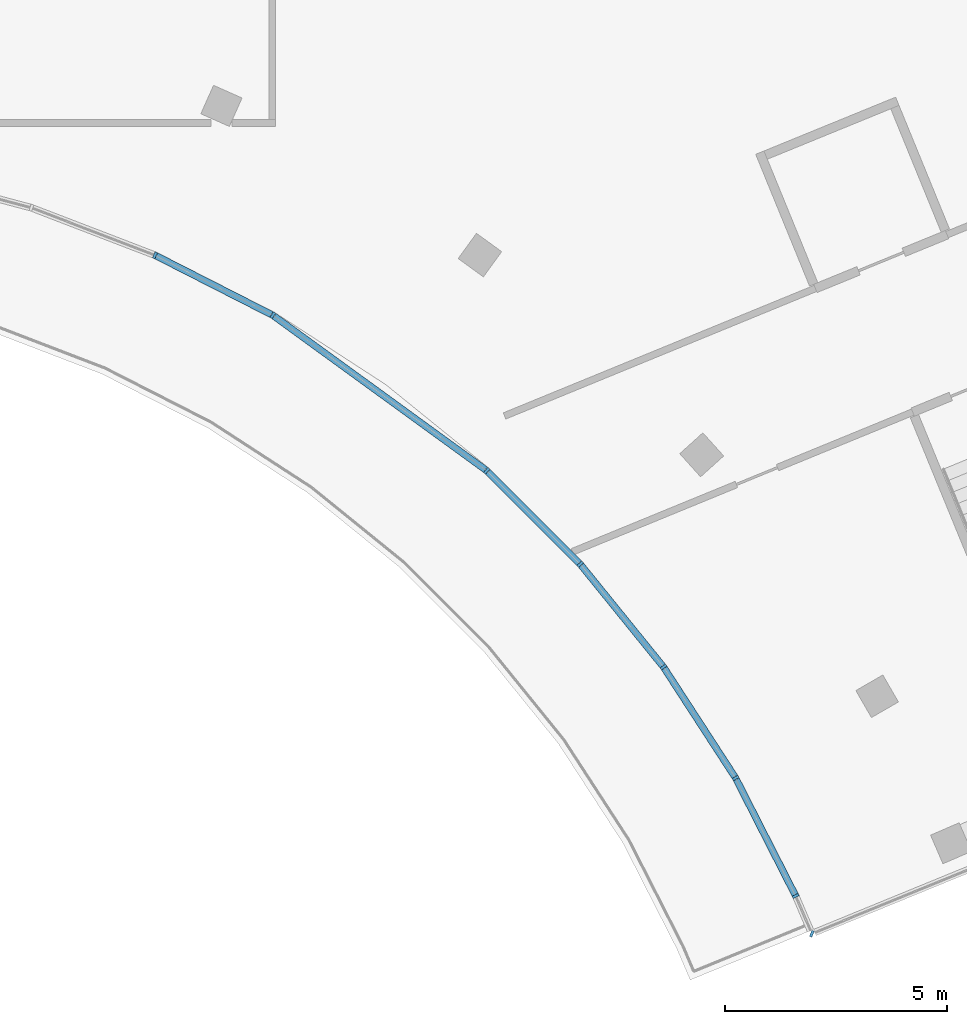
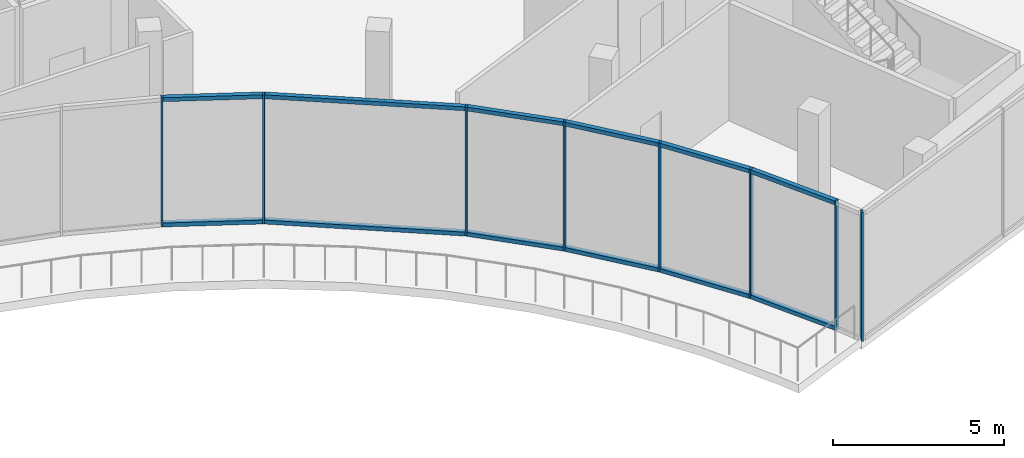
# One storey, part 8 of 39: 20 members, 2 elements without a shape of their own.
"""IFC4 building model written with IfcOpenShell, lengths in metres."""

from ifc_helpers import new_model, si_unit, direction, frame, origin, origin_2d, place, context, subcontext, project, spatial, rectangle, extrude, material, layer, layer_set, material_profile, profile_set, type_object, element, aggregate, save


model = new_model("IFC4")

# Units and contexts
model_context = context("Model", 3, precision=1e-05, world=origin(), true_north=direction((0.0, 1.0)))
body_context = subcontext(model_context, "Body", "Model", "MODEL_VIEW")
ifc_project = project(units=[si_unit("LENGTHUNIT", "METRE"), si_unit("AREAUNIT", "SQUARE_METRE"), si_unit("VOLUMEUNIT", "CUBIC_METRE"), si_unit("PLANEANGLEUNIT", "RADIAN"), si_unit("MASSUNIT", "GRAM", prefix="KILO")], contexts=[model_context])

# Site, building, storey
site_placement = place(None, origin())
site = spatial("IfcSite", under=ifc_project, at=site_placement, CompositionType="ELEMENT")
building_placement = place(site_placement, origin())
building = spatial("IfcBuilding", under=site, at=building_placement, Name="Stone Belt Terrace Tower", CompositionType="ELEMENT")
storey_placement = place(building_placement, frame((0.0, 0.0, 20.800048828125)))
storey = spatial("IfcBuildingStorey", under=building, at=storey_placement, Name="L04", CompositionType="ELEMENT", Elevation=20.800048828125)

# Curtain wall, members
ifc_material = material(Name="Aluminium 6063-T6 anodised frame", Category="aluminium")
ifc_layer = layer(ifc_material, 0.14990234375)
ifc_layer_set = layer_set([ifc_layer], Name="CW-D podium shopfront")
curtain_wall_type = type_object("IfcCurtainWallType", Name="CW-D podium shopfront", PredefinedType="NOTDEFINED", material=ifc_layer_set)
curtain_wall_1_placement = place(storey_placement, origin())
curtain_wall_1 = element("IfcCurtainWall", 1, at=curtain_wall_1_placement, inside=storey, type_object=curtain_wall_type, Name="CW-D concave face L04", PredefinedType="NOTDEFINED")
ifc_material_profile_1 = material_profile(ifc_material, rectangle(XDim=0.14990234375, YDim=0.06005859375, at=origin_2d()), Name="Aluminium 6063-T6 60x150")
ifc_profile_set_1 = profile_set([ifc_material_profile_1], Name="Aluminium 6063-T6 anodised frame")
member_type_1 = type_object("IfcMemberType", Name="CW-D mullion 60 x 150", PredefinedType="MULLION", material=ifc_profile_set_1)
member_1_placement = place(storey_placement, frame((11.5615234375, 25.967529296875, 0.0), z_axis=(0.0, 0.0, 1.0), x_axis=(0.406736643076, 0.913545457643, 0.0)))
member_1 = element("IfcMember", 2, at=member_1_placement, type_object=member_type_1, Name="CW-D mullion 15", PredefinedType="MULLION", context=body_context, shape_type="SweptSolid", body=[
    extrude(rectangle(XDim=0.14990234375, YDim=0.06005859375, at=origin_2d()), origin(), (0.0, 0.0, 1.0), 4.599853515625),
])
member_2_placement = place(storey_placement, frame((14.210693359375, 24.61767578125, 0.0), z_axis=(0.0, 0.0, 1.0), x_axis=(0.522498564716, 0.852640164354, 0.0)))
member_2 = element("IfcMember", 3, at=member_2_placement, type_object=member_type_1, Name="CW-D mullion 16", PredefinedType="MULLION", context=body_context, shape_type="SweptSolid", body=[
    extrude(rectangle(XDim=0.14990234375, YDim=0.06005859375, at=origin_2d()), origin(), (0.0, 0.0, 1.0), 4.599853515625),
])
member_3_placement = place(storey_placement, frame((19.021484375, 21.122314453125, 0.0), z_axis=(0.0, 0.0, 1.0), x_axis=(0.64944804833, 0.7604059656, 0.0)))
member_3 = element("IfcMember", 4, at=member_3_placement, type_object=member_type_1, Name="CW-D mullion 17", PredefinedType="MULLION", context=body_context, shape_type="SweptSolid", body=[
    extrude(rectangle(XDim=0.14990234375, YDim=0.06005859375, at=origin_2d()), origin(), (0.0, 0.0, 1.0), 4.599853515625),
])
member_4_placement = place(storey_placement, frame((21.123779296875, 19.02001953125, 0.0), z_axis=(0.0, 0.0, 1.0), x_axis=(0.743144825477, 0.669130606359, 0.0)))
member_4 = element("IfcMember", 5, at=member_4_placement, type_object=member_type_1, Name="CW-D mullion 18", PredefinedType="MULLION", context=body_context, shape_type="SweptSolid", body=[
    extrude(rectangle(XDim=0.14990234375, YDim=0.06005859375, at=origin_2d()), origin(), (0.0, 0.0, 1.0), 4.599853515625),
])
member_5_placement = place(storey_placement, frame((22.996337890625, 16.707763671875, 0.0), z_axis=(0.0, 0.0, 1.0), x_axis=(0.809016994375, 0.587785252292, 0.0)))
member_5 = element("IfcMember", 6, at=member_5_placement, type_object=member_type_1, Name="CW-D mullion 19", PredefinedType="MULLION", context=body_context, shape_type="SweptSolid", body=[
    extrude(rectangle(XDim=0.14990234375, YDim=0.06005859375, at=origin_2d()), origin(), (0.0, 0.0, 1.0), 4.599853515625),
])
member_6_placement = place(storey_placement, frame((24.61669921875, 14.21240234375, 0.0), z_axis=(0.0, 0.0, 1.0), x_axis=(0.866025403784, 0.5, 0.0)))
member_6 = element("IfcMember", 7, at=member_6_placement, type_object=member_type_1, Name="CW-D mullion 20", PredefinedType="MULLION", context=body_context, shape_type="SweptSolid", body=[
    extrude(rectangle(XDim=0.14990234375, YDim=0.06005859375, at=origin_2d()), origin(), (0.0, 0.0, 1.0), 4.599853515625),
])
member_7_placement = place(storey_placement, frame((25.968017578125, 11.560302734375, 0.0), z_axis=(0.0, 0.0, 1.0), x_axis=(0.905778201442, 0.423752108895, 0.0)))
member_7 = element("IfcMember", 8, at=member_7_placement, type_object=member_type_1, Name="CW-D mullion 21", PredefinedType="MULLION", context=body_context, shape_type="SweptSolid", body=[
    extrude(rectangle(XDim=0.14990234375, YDim=0.06005859375, at=origin_2d()), origin(), (0.0, 0.0, 1.0), 4.599853515625),
])

# Curtain wall, member
curtain_wall_2_placement = place(storey_placement, origin())
curtain_wall_2 = element("IfcCurtainWall", 9, at=curtain_wall_2_placement, inside=storey, type_object=curtain_wall_type, Name="CW-D end face L04", PredefinedType="NOTDEFINED")
member_8_placement = place(storey_placement, frame((26.3310546875, 10.7109375, 0.0), z_axis=(0.0, 0.0, 1.0), x_axis=(0.379212239192, 0.925309719849, 0.0)))
member_8 = element("IfcMember", 10, at=member_8_placement, type_object=member_type_1, Name="CW-D mullion 1", PredefinedType="MULLION", context=body_context, shape_type="SweptSolid", body=[
    extrude(rectangle(XDim=0.14990234375, YDim=0.06005859375, at=origin_2d()), origin(), (0.0, 0.0, 1.0), 4.599853515625),
])
aggregate(curtain_wall_2, [member_8])

# Member
ifc_material_profile_2 = material_profile(ifc_material, rectangle(XDim=0.14990234375, YDim=0.139892578125, at=origin_2d()), Name="Aluminium 6063-T6 150x140")
ifc_profile_set_2 = profile_set([ifc_material_profile_2], Name="Aluminium 6063-T6 anodised frame")
member_type_2 = type_object("IfcMemberType", Name="CW-D transom 140 x 150", PredefinedType="USERDEFINED", material=ifc_profile_set_2)
member_9_placement = place(storey_placement, frame((11.591552734375, 25.9521484375, 0.070068359375), z_axis=(0.890987517797, -0.454027799953, 0.0), x_axis=(0.454027799953, 0.890987517797, 0.0)))
member_9 = element("IfcMember", 11, at=member_9_placement, type_object=member_type_2, Name="CW-D transom 15.1", ObjectType="TRANSOM", PredefinedType="USERDEFINED", context=body_context, shape_type="SweptSolid", body=[
    extrude(rectangle(XDim=0.14990234375, YDim=0.139892578125, at=origin_2d()), origin(), (0.0, 0.0, 1.0), 2.90380859375),
])

member_10_placement = place(storey_placement, frame((11.591552734375, 25.9521484375, 4.530029296875), z_axis=(0.890987517797, -0.454027799953, 0.0), x_axis=(0.454027799953, 0.890987517797, 0.0)))
member_10 = element("IfcMember", 12, at=member_10_placement, type_object=member_type_2, Name="CW-D transom 15.2", ObjectType="TRANSOM", PredefinedType="USERDEFINED", context=body_context, shape_type="SweptSolid", body=[
    extrude(rectangle(XDim=0.14990234375, YDim=0.139892578125, at=origin_2d()), origin(), (0.0, 0.0, 1.0), 2.90380859375),
])

member_11_placement = place(storey_placement, frame((14.23974609375, 24.596435546875, 0.070068359375), z_axis=(0.809028918742, -0.58776883946, 0.0), x_axis=(0.58776883946, 0.809028918742, 0.0)))
member_11 = element("IfcMember", 13, at=member_11_placement, type_object=member_type_2, Name="CW-D transom 16.1", ObjectType="TRANSOM", PredefinedType="USERDEFINED", context=body_context, shape_type="SweptSolid", body=[
    extrude(rectangle(XDim=0.14990234375, YDim=0.139892578125, at=origin_2d()), origin(), (0.0, 0.0, 1.0), 5.87451171875),
])

member_12_placement = place(storey_placement, frame((14.23974609375, 24.596435546875, 4.530029296875), z_axis=(0.809028918742, -0.58776883946, 0.0), x_axis=(0.58776883946, 0.809028918742, 0.0)))
member_12 = element("IfcMember", 14, at=member_12_placement, type_object=member_type_2, Name="CW-D transom 16.2", ObjectType="TRANSOM", PredefinedType="USERDEFINED", context=body_context, shape_type="SweptSolid", body=[
    extrude(rectangle(XDim=0.14990234375, YDim=0.139892578125, at=origin_2d()), origin(), (0.0, 0.0, 1.0), 5.87451171875),
])

member_13_placement = place(storey_placement, frame((19.046630859375, 21.09716796875, 0.070068359375), z_axis=(0.707106781187, -0.707106781187, 0.0), x_axis=(0.707106781187, 0.707106781187, 0.0)))
member_13 = element("IfcMember", 15, at=member_13_placement, type_object=member_type_2, Name="CW-D transom 17.1", ObjectType="TRANSOM", PredefinedType="USERDEFINED", context=body_context, shape_type="SweptSolid", body=[
    extrude(rectangle(XDim=0.14990234375, YDim=0.139892578125, at=origin_2d()), origin(), (0.0, 0.0, 1.0), 2.90380859375),
])

member_14_placement = place(storey_placement, frame((19.046630859375, 21.09716796875, 4.530029296875), z_axis=(0.707106781187, -0.707106781187, 0.0), x_axis=(0.707106781187, 0.707106781187, 0.0)))
member_14 = element("IfcMember", 16, at=member_14_placement, type_object=member_type_2, Name="CW-D transom 17.2", ObjectType="TRANSOM", PredefinedType="USERDEFINED", context=body_context, shape_type="SweptSolid", body=[
    extrude(rectangle(XDim=0.14990234375, YDim=0.139892578125, at=origin_2d()), origin(), (0.0, 0.0, 1.0), 2.90380859375),
])

member_15_placement = place(storey_placement, frame((21.14501953125, 18.99365234375, 0.070068359375), z_axis=(0.629343149486, -0.777127531487, 0.0), x_axis=(0.777127531487, 0.629343149486, 0.0)))
member_15 = element("IfcMember", 17, at=member_15_placement, type_object=member_type_2, Name="CW-D transom 18.1", ObjectType="TRANSOM", PredefinedType="USERDEFINED", context=body_context, shape_type="SweptSolid", body=[
    extrude(rectangle(XDim=0.14990234375, YDim=0.139892578125, at=origin_2d()), origin(), (0.0, 0.0, 1.0), 2.907470703125),
])

member_16_placement = place(storey_placement, frame((21.14501953125, 18.99365234375, 4.530029296875), z_axis=(0.629343149486, -0.777127531487, 0.0), x_axis=(0.777127531487, 0.629343149486, 0.0)))
member_16 = element("IfcMember", 18, at=member_16_placement, type_object=member_type_2, Name="CW-D transom 18.2", ObjectType="TRANSOM", PredefinedType="USERDEFINED", context=body_context, shape_type="SweptSolid", body=[
    extrude(rectangle(XDim=0.14990234375, YDim=0.139892578125, at=origin_2d()), origin(), (0.0, 0.0, 1.0), 2.907470703125),
])

member_17_placement = place(storey_placement, frame((23.0146484375, 16.67919921875, 0.070068359375), z_axis=(0.544660674368, -0.838656514788, 0.0), x_axis=(0.838656514788, 0.544660674368, 0.0)))
member_17 = element("IfcMember", 19, at=member_17_placement, type_object=member_type_2, Name="CW-D transom 19.1", ObjectType="TRANSOM", PredefinedType="USERDEFINED", context=body_context, shape_type="SweptSolid", body=[
    extrude(rectangle(XDim=0.14990234375, YDim=0.139892578125, at=origin_2d()), origin(), (0.0, 0.0, 1.0), 2.9072265625),
])

member_18_placement = place(storey_placement, frame((23.0146484375, 16.67919921875, 4.530029296875), z_axis=(0.544660674368, -0.838656514788, 0.0), x_axis=(0.838656514788, 0.544660674368, 0.0)))
member_18 = element("IfcMember", 20, at=member_18_placement, type_object=member_type_2, Name="CW-D transom 19.2", ObjectType="TRANSOM", PredefinedType="USERDEFINED", context=body_context, shape_type="SweptSolid", body=[
    extrude(rectangle(XDim=0.14990234375, YDim=0.139892578125, at=origin_2d()), origin(), (0.0, 0.0, 1.0), 2.9072265625),
])

member_19_placement = place(storey_placement, frame((24.632080078125, 14.182373046875, 0.070068359375), z_axis=(0.453978557645, -0.891012608889, 0.0), x_axis=(0.891012608889, 0.453978557645, 0.0)))
member_19 = element("IfcMember", 21, at=member_19_placement, type_object=member_type_2, Name="CW-D transom 20.1", ObjectType="TRANSOM", PredefinedType="USERDEFINED", context=body_context, shape_type="SweptSolid", body=[
    extrude(rectangle(XDim=0.14990234375, YDim=0.139892578125, at=origin_2d()), origin(), (0.0, 0.0, 1.0), 2.910400390625),
])

member_20_placement = place(storey_placement, frame((24.632080078125, 14.182373046875, 4.530029296875), z_axis=(0.453978557645, -0.891012608889, 0.0), x_axis=(0.891012608889, 0.453978557645, 0.0)))
member_20 = element("IfcMember", 22, at=member_20_placement, type_object=member_type_2, Name="CW-D transom 20.2", ObjectType="TRANSOM", PredefinedType="USERDEFINED", context=body_context, shape_type="SweptSolid", body=[
    extrude(rectangle(XDim=0.14990234375, YDim=0.139892578125, at=origin_2d()), origin(), (0.0, 0.0, 1.0), 2.910400390625),
])

aggregate(curtain_wall_1, [member_1, member_2, member_3, member_4, member_5, member_6, member_7, member_9, member_10, member_11, member_12, member_13, member_14, member_15, member_16, member_17, member_18, member_19, member_20])

save(model, "model.ifc")
